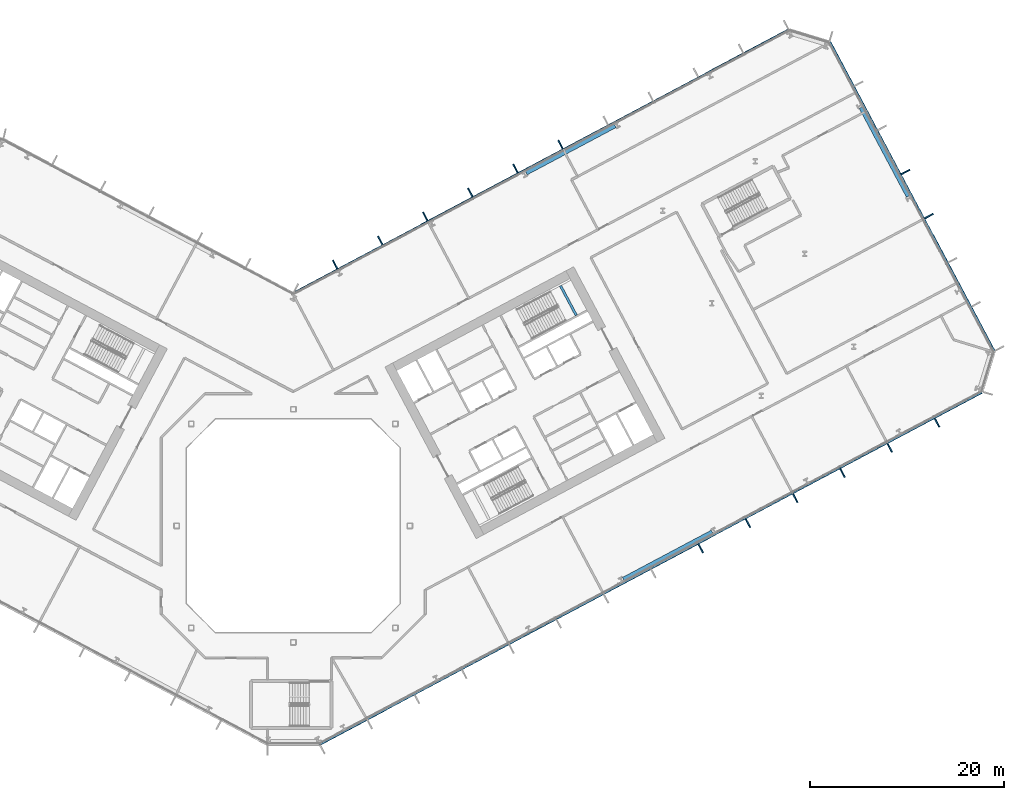
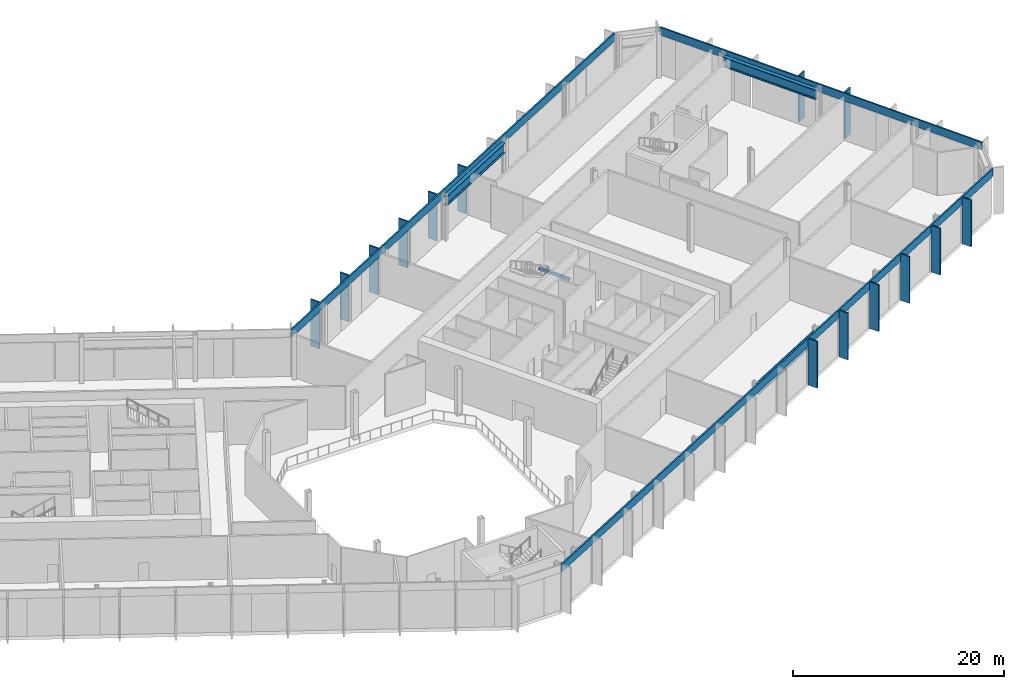
# One storey, part 7 of 32: 17 members, 4 beams, 3 elements without a shape of their own.
"""IFC4 building model written with IfcOpenShell, lengths in metres."""

from ifc_helpers import new_model, si_unit, direction, frame, origin, origin_2d, place, context, subcontext, project, spatial, rectangle, i_section, extrude, material, layer, layer_set, material_profile, profile_set, type_object, element, aggregate, save


model = new_model("IFC4")

# Units and contexts
model_context = context("Model", 3, precision=1e-05, world=origin(), true_north=direction((0.0, 1.0)))
body_context = subcontext(model_context, "Body", "Model", "MODEL_VIEW")
ifc_project = project(units=[si_unit("LENGTHUNIT", "METRE"), si_unit("AREAUNIT", "SQUARE_METRE"), si_unit("VOLUMEUNIT", "CUBIC_METRE"), si_unit("PLANEANGLEUNIT", "RADIAN"), si_unit("MASSUNIT", "GRAM", prefix="KILO")], contexts=[model_context])

# Site, building, storey
site_placement = place(None, origin())
site = spatial("IfcSite", under=ifc_project, at=site_placement, CompositionType="ELEMENT")
building_placement = place(site_placement, origin())
building = spatial("IfcBuilding", under=site, at=building_placement, Name="Cormorant Relay Tower", CompositionType="ELEMENT")
storey_placement = place(building_placement, frame((0.0, 0.0, 28.39990234375)))
storey = spatial("IfcBuildingStorey", under=building, at=storey_placement, Name="L05", CompositionType="ELEMENT", Elevation=28.39990234375)

# Curtain wall, members
ifc_material_1 = material(Name="Aluminium 6063-T6 anodised bronze", Category="aluminium")
ifc_layer = layer(ifc_material_1, 0.235107421875)
ifc_layer_set = layer_set([ifc_layer], Name="CW6 data hall curtain wall with mineral wool panels")
curtain_wall_type = type_object("IfcCurtainWallType", Name="CW6 data hall curtain wall with mineral wool panels", PredefinedType="NOTDEFINED", material=ifc_layer_set)
curtain_wall_1_placement = place(storey_placement, origin())
curtain_wall_1 = element("IfcCurtainWall", 1, at=curtain_wall_1_placement, inside=storey, type_object=curtain_wall_type, Name="CW6 curtain wall 2", PredefinedType="NOTDEFINED")
ifc_material_2 = material(Name="Aluminium 6063-T6 anodised bronze", Category="aluminium")
ifc_material_profile_1 = material_profile(ifc_material_2, rectangle(XDim=0.14990234375, YDim=1.0, at=origin_2d()), Name="AL 150x1000")
ifc_profile_set_1 = profile_set([ifc_material_profile_1], Name="Aluminium 6063-T6 anodised bronze")
member_type_1 = type_object("IfcMemberType", Name="CW6 bronze fin mullion 150 x 1000", PredefinedType="MULLION", material=ifc_profile_set_1)
member_1_placement = place(storey_placement, frame((41.92724609375, -2.3232421875, 0.0), z_axis=(0.0, 0.0, 1.0), x_axis=(0.882947592859, 0.469471562786, 0.0)))
member_1 = element("IfcMember", 2, at=member_1_placement, type_object=member_type_1, Name="CW6 fin 2.9", PredefinedType="MULLION", context=body_context, shape_type="SweptSolid", body=[
    extrude(rectangle(XDim=0.14990234375, YDim=1.0, at=origin_2d()), origin(), (0.0, 0.0, 1.0), 5.400146484375),
])
member_2_placement = place(storey_placement, frame((46.7939453125, 0.264404296875, 0.0), z_axis=(0.0, 0.0, 1.0), x_axis=(0.882947592859, 0.469471562786, 0.0)))
member_2 = element("IfcMember", 3, at=member_2_placement, type_object=member_type_1, Name="CW6 fin 2.10", PredefinedType="MULLION", context=body_context, shape_type="SweptSolid", body=[
    extrude(rectangle(XDim=0.14990234375, YDim=1.0, at=origin_2d()), origin(), (0.0, 0.0, 1.0), 5.400146484375),
])
member_3_placement = place(storey_placement, frame((51.66064453125, 2.85205078125, 0.0), z_axis=(0.0, 0.0, 1.0), x_axis=(0.882947592859, 0.469471562786, 0.0)))
member_3 = element("IfcMember", 4, at=member_3_placement, type_object=member_type_1, Name="CW6 fin 2.11", PredefinedType="MULLION", context=body_context, shape_type="SweptSolid", body=[
    extrude(rectangle(XDim=0.14990234375, YDim=1.0, at=origin_2d()), origin(), (0.0, 0.0, 1.0), 5.400146484375),
])
member_4_placement = place(storey_placement, frame((56.52734375, 5.439697265625, 0.0), z_axis=(0.0, 0.0, 1.0), x_axis=(0.882947592859, 0.469471562786, 0.0)))
member_4 = element("IfcMember", 5, at=member_4_placement, type_object=member_type_1, Name="CW6 fin 2.12", PredefinedType="MULLION", context=body_context, shape_type="SweptSolid", body=[
    extrude(rectangle(XDim=0.14990234375, YDim=1.0, at=origin_2d()), origin(), (0.0, 0.0, 1.0), 5.400146484375),
])
member_5_placement = place(storey_placement, frame((61.39404296875, 8.02734375, 0.0), z_axis=(0.0, 0.0, 1.0), x_axis=(0.882947592859, 0.469471562786, 0.0)))
member_5 = element("IfcMember", 6, at=member_5_placement, type_object=member_type_1, Name="CW6 fin 2.13", PredefinedType="MULLION", context=body_context, shape_type="SweptSolid", body=[
    extrude(rectangle(XDim=0.14990234375, YDim=1.0, at=origin_2d()), origin(), (0.0, 0.0, 1.0), 5.400146484375),
])
member_6_placement = place(storey_placement, frame((66.2607421875, 10.614990234375, 0.0), z_axis=(0.0, 0.0, 1.0), x_axis=(0.882947592859, 0.469471562786, 0.0)))
member_6 = element("IfcMember", 7, at=member_6_placement, type_object=member_type_1, Name="CW6 fin 2.14", PredefinedType="MULLION", context=body_context, shape_type="SweptSolid", body=[
    extrude(rectangle(XDim=0.14990234375, YDim=1.0, at=origin_2d()), origin(), (0.0, 0.0, 1.0), 5.400146484375),
])

curtain_wall_2_placement = place(storey_placement, origin())
curtain_wall_2 = element("IfcCurtainWall", 8, at=curtain_wall_2_placement, inside=storey, type_object=curtain_wall_type, Name="CW6 curtain wall 4", PredefinedType="NOTDEFINED")
member_7_placement = place(storey_placement, frame((65.428466796875, 31.876708984375, 0.0), z_axis=(0.0, 0.0, 1.0), x_axis=(-0.469471562786, 0.882947592859, 0.0)))
member_7 = element("IfcMember", 9, at=member_7_placement, type_object=member_type_1, Name="CW6 fin 4.4", PredefinedType="MULLION", context=body_context, shape_type="SweptSolid", body=[
    extrude(rectangle(XDim=0.14990234375, YDim=1.0, at=origin_2d()), origin(), (0.0, 0.0, 1.0), 5.400146484375),
])
member_8_placement = place(storey_placement, frame((63.013916015625, 36.41748046875, 0.0), z_axis=(0.0, 0.0, 1.0), x_axis=(-0.469471562786, 0.882947592859, 0.0)))
member_8 = element("IfcMember", 10, at=member_8_placement, type_object=member_type_1, Name="CW6 fin 4.5", PredefinedType="MULLION", context=body_context, shape_type="SweptSolid", body=[
    extrude(rectangle(XDim=0.14990234375, YDim=1.0, at=origin_2d()), origin(), (0.0, 0.0, 1.0), 5.400146484375),
])

curtain_wall_3_placement = place(storey_placement, origin())
curtain_wall_3 = element("IfcCurtainWall", 11, at=curtain_wall_3_placement, inside=storey, type_object=curtain_wall_type, Name="CW6 curtain wall 6", PredefinedType="NOTDEFINED")
member_9_placement = place(storey_placement, frame((27.50830078125, 39.242919921875, 0.0), z_axis=(0.0, 0.0, 1.0), x_axis=(-0.882947592859, -0.469471562786, 0.0)))
member_9 = element("IfcMember", 12, at=member_9_placement, type_object=member_type_1, Name="CW6 fin 6.6", PredefinedType="MULLION", context=body_context, shape_type="SweptSolid", body=[
    extrude(rectangle(XDim=0.14990234375, YDim=1.0, at=origin_2d()), origin(), (0.0, 0.0, 1.0), 5.400146484375),
])
member_10_placement = place(storey_placement, frame((22.8662109375, 36.7744140625, 0.0), z_axis=(0.0, 0.0, 1.0), x_axis=(-0.882947592859, -0.469471562786, 0.0)))
member_10 = element("IfcMember", 13, at=member_10_placement, type_object=member_type_1, Name="CW6 fin 6.7", PredefinedType="MULLION", context=body_context, shape_type="SweptSolid", body=[
    extrude(rectangle(XDim=0.14990234375, YDim=1.0, at=origin_2d()), origin(), (0.0, 0.0, 1.0), 5.400146484375),
])
member_11_placement = place(storey_placement, frame((18.223876953125, 34.30615234375, 0.0), z_axis=(0.0, 0.0, 1.0), x_axis=(-0.882947592859, -0.469471562786, 0.0)))
member_11 = element("IfcMember", 14, at=member_11_placement, type_object=member_type_1, Name="CW6 fin 6.8", PredefinedType="MULLION", context=body_context, shape_type="SweptSolid", body=[
    extrude(rectangle(XDim=0.14990234375, YDim=1.0, at=origin_2d()), origin(), (0.0, 0.0, 1.0), 5.400146484375),
])
member_12_placement = place(storey_placement, frame((13.58154296875, 31.837890625, 0.0), z_axis=(0.0, 0.0, 1.0), x_axis=(-0.882947592859, -0.469471562786, 0.0)))
member_12 = element("IfcMember", 15, at=member_12_placement, type_object=member_type_1, Name="CW6 fin 6.9", PredefinedType="MULLION", context=body_context, shape_type="SweptSolid", body=[
    extrude(rectangle(XDim=0.14990234375, YDim=1.0, at=origin_2d()), origin(), (0.0, 0.0, 1.0), 5.400146484375),
])
member_13_placement = place(storey_placement, frame((8.939453125, 29.36962890625, 0.0), z_axis=(0.0, 0.0, 1.0), x_axis=(-0.882947592859, -0.469471562786, 0.0)))
member_13 = element("IfcMember", 16, at=member_13_placement, type_object=member_type_1, Name="CW6 fin 6.10", PredefinedType="MULLION", context=body_context, shape_type="SweptSolid", body=[
    extrude(rectangle(XDim=0.14990234375, YDim=1.0, at=origin_2d()), origin(), (0.0, 0.0, 1.0), 5.400146484375),
])
member_14_placement = place(storey_placement, frame((4.297119140625, 26.9013671875, 0.0), z_axis=(0.0, 0.0, 1.0), x_axis=(-0.882947592859, -0.469471562786, 0.0)))
member_14 = element("IfcMember", 17, at=member_14_placement, type_object=member_type_1, Name="CW6 fin 6.11", PredefinedType="MULLION", context=body_context, shape_type="SweptSolid", body=[
    extrude(rectangle(XDim=0.14990234375, YDim=1.0, at=origin_2d()), origin(), (0.0, 0.0, 1.0), 5.400146484375),
])

# Member
ifc_material_3 = material(Name="Aluminium 6063-T6 anodised bronze", Category="aluminium")
ifc_material_profile_2 = material_profile(ifc_material_3, rectangle(XDim=0.159912109375, YDim=0.89990234375, at=origin_2d()), Name="AL 160x900")
ifc_profile_set_2 = profile_set([ifc_material_profile_2], Name="Aluminium 6063-T6 anodised bronze")
member_type_2 = type_object("IfcMemberType", Name="CW6 bronze transom 160 x 900", PredefinedType="USERDEFINED", material=ifc_profile_set_2)
member_15_placement = place(storey_placement, frame((2.7216796875, -22.512451171875, 4.9501953125), z_axis=(0.882946645884, 0.469473343783, 0.0), x_axis=(-0.469473343783, 0.882946645884, 0.0)))
member_15 = element("IfcMember", 18, at=member_15_placement, type_object=member_type_2, Name="CW6 transom 2", ObjectType="TRANSOM", PredefinedType="USERDEFINED", context=body_context, shape_type="SweptSolid", body=[
    extrude(rectangle(XDim=0.159912109375, YDim=0.89990234375, at=origin_2d()), origin(), (0.0, 0.0, 1.0), 77.165771484375),
])

aggregate(curtain_wall_1, [member_1, member_2, member_3, member_4, member_5, member_6, member_15])

member_16_placement = place(storey_placement, frame((72.15966796875, 17.981689453125, 4.9501953125), z_axis=(-0.469474517326, 0.882946021896, 0.0), x_axis=(-0.882946021896, -0.469474517326, 0.0)))
member_16 = element("IfcMember", 19, at=member_16_placement, type_object=member_type_2, Name="CW6 transom 4", ObjectType="TRANSOM", PredefinedType="USERDEFINED", context=body_context, shape_type="SweptSolid", body=[
    extrude(rectangle(XDim=0.159912109375, YDim=0.89990234375, at=origin_2d()), origin(), (0.0, 0.0, 1.0), 36.0),
])

aggregate(curtain_wall_2, [member_7, member_8, member_16])

member_17_placement = place(storey_placement, frame((50.99169921875, 51.072265625, 4.9501953125), z_axis=(-0.882948196078, -0.469470428295, 0.0), x_axis=(0.469470428295, -0.882948196078, 0.0)))
member_17 = element("IfcMember", 20, at=member_17_placement, type_object=member_type_2, Name="CW6 transom 6", ObjectType="TRANSOM", PredefinedType="USERDEFINED", context=body_context, shape_type="SweptSolid", body=[
    extrude(rectangle(XDim=0.159912109375, YDim=0.89990234375, at=origin_2d()), origin(), (0.0, 0.0, 1.0), 57.833984375),
])

aggregate(curtain_wall_3, [member_9, member_10, member_11, member_12, member_13, member_14, member_17])

# Beams
ifc_material_4 = material(Name="Steel ASTM A992 (Fy 345 MPa)", Category="steel")
ifc_material_profile_3 = material_profile(ifc_material_4, i_section(OverallWidth=0.408935546875, OverallDepth=1.137939453125, WebThickness=0.031005859375, FlangeThickness=0.05517578125, FilletRadius=0.02001953125, at=origin_2d()), Name="W1100x607")
ifc_profile_set_3 = profile_set([ifc_material_profile_3], Name="Steel ASTM A992 (Fy 345 MPa)")
beam_type_1 = type_object("IfcBeamType", Name="Spandrel W1100x607", PredefinedType="SPANDREL", material=ifc_profile_set_3)
for number, where, z_axis, x_axis, name in (
    (21, (33.9716796875, -5.4892578125, 4.381103515625), (0.882947604656, 0.469471540599, 0.0), (-0.469471540599, 0.882947604656, 0.0), "Spandrel beam L05-002"),
    (22, (63.289306640625, 33.898681640625, 4.381103515625), (-0.469471540599, 0.882947604656, 0.0), (-0.882947604656, -0.469471540599, 0.0), "Spandrel beam L05-004"),
):
    element("IfcBeam", number, at=place(storey_placement, frame(where, z_axis=z_axis, x_axis=x_axis)), inside=storey, type_object=beam_type_1, Name=name, PredefinedType="SPANDREL", context=body_context, shape_type="SweptSolid", body=[
        extrude(i_section(OverallWidth=0.408935546875, OverallDepth=1.137939453125, WebThickness=0.031005859375, FlangeThickness=0.05517578125, FilletRadius=0.02001953125, at=origin_2d()), origin(), (0.0, 0.0, 1.0), 10.36376953125),
    ])
beam_1_placement = place(storey_placement, frame((33.132080078125, 41.169189453125, 4.381103515625), z_axis=(-0.882942412403, -0.469481305677, 0.0), x_axis=(0.469481305677, -0.882942412403, 0.0)))
element("IfcBeam", 23, at=beam_1_placement, inside=storey, type_object=beam_type_1, Name="Spandrel beam L05-006", PredefinedType="SPANDREL", context=body_context, shape_type="SweptSolid", body=[
    extrude(i_section(OverallWidth=0.408935546875, OverallDepth=1.137939453125, WebThickness=0.031005859375, FlangeThickness=0.05517578125, FilletRadius=0.02001953125, at=origin_2d()), origin(), (0.0, 0.0, 1.0), 10.363525390625),
])
ifc_material_5 = material(Name="Concrete 50 MPa", Category="concrete")
ifc_material_profile_4 = material_profile(ifc_material_5, rectangle(XDim=0.25, YDim=0.300048828125, at=origin_2d()), Name="RC 250x300")
ifc_profile_set_4 = profile_set([ifc_material_profile_4], Name="Concrete 50 MPa")
beam_type_2 = type_object("IfcBeamType", Name="Stair landing ledge beam 250x300", PredefinedType="BEAM", material=ifc_profile_set_4)
beam_2_placement = place(storey_placement, frame((29.1259765625, 21.6591796875, 2.35009765625), z_axis=(-0.469493252696, 0.882936059788, 0.0), x_axis=(-0.882936059788, -0.469493252696, 0.0)))
element("IfcBeam", 24, at=beam_2_placement, inside=storey, type_object=beam_type_2, Name="B2 landing ledge beam", PredefinedType="BEAM", context=body_context, shape_type="SweptSolid", body=[
    extrude(rectangle(XDim=0.25, YDim=0.300048828125, at=origin_2d()), origin(), (0.0, 0.0, 1.0), 3.44970703125),
])

save(model, "model.ifc")
